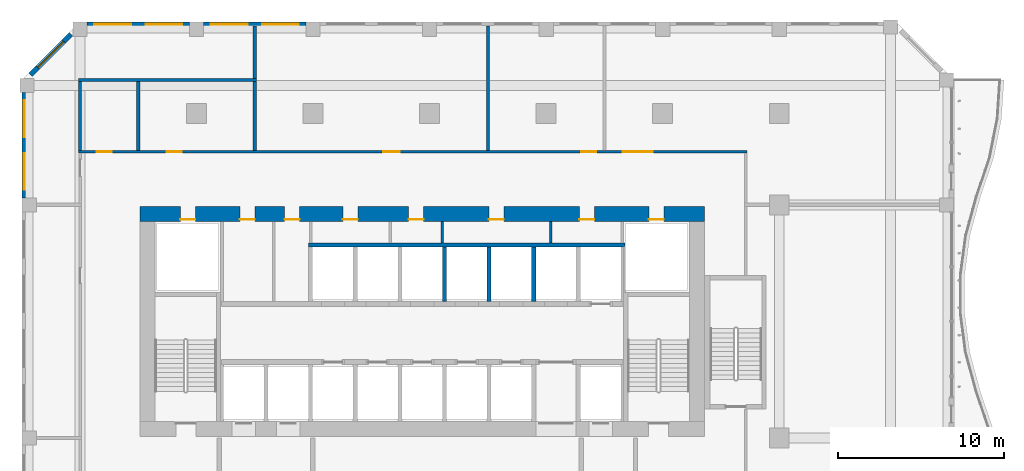
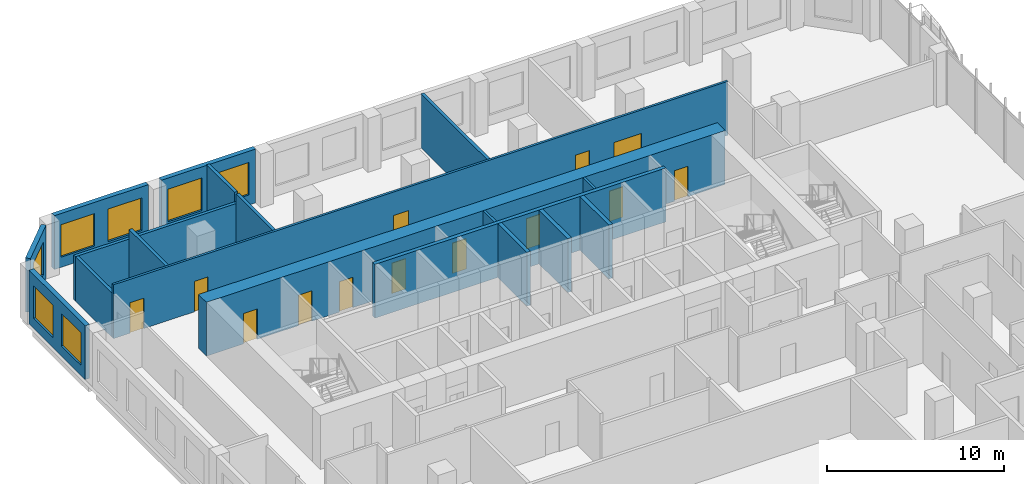
# One storey, part 16 of 27: 18 walls, 13 doors, 7 windows, 20 openings.
"""IFC4 building model written with IfcOpenShell, lengths in metres."""

from ifc_helpers import new_model, si_unit, direction, frame, frame_2d, origin, place, context, subcontext, project, spatial, rectangle, extrude, source, transform, mapped, material, layer, layer_set, type_object, element, fill, save


model = new_model("IFC4")

# Units and contexts
model_context = context("Model", 3, precision=1e-05, world=origin(), true_north=direction((0.0, 1.0)))
body_context = subcontext(model_context, "Body", "Model", "MODEL_VIEW")
ifc_project = project(units=[si_unit("LENGTHUNIT", "METRE"), si_unit("AREAUNIT", "SQUARE_METRE"), si_unit("VOLUMEUNIT", "CUBIC_METRE"), si_unit("PLANEANGLEUNIT", "RADIAN"), si_unit("MASSUNIT", "GRAM", prefix="KILO")], contexts=[model_context])

# Site, building, storey
site_placement = place(None, origin())
site = spatial("IfcSite", under=ifc_project, at=site_placement, CompositionType="ELEMENT")
building_placement = place(site_placement, origin())
building = spatial("IfcBuilding", under=site, at=building_placement, Name="Kilnfold Tower and Market Hall", CompositionType="ELEMENT")
storey_placement = place(building_placement, frame((0.0, 0.0, 112.60009765625)))
storey = spatial("IfcBuildingStorey", under=building, at=storey_placement, Name="L26", CompositionType="ELEMENT", Elevation=112.60009765625)

# Wall, openings, doors
ifc_material_1 = material(Name="Gypsum board on steel studs", Category="steel")
ifc_layer_1 = layer(ifc_material_1, 0.14990234375)
ifc_layer_set_1 = layer_set([ifc_layer_1], Name="Gypsum board on steel studs")
wall_type_1 = type_object("IfcWallType", Name="WALL CORRIDOR 150", PredefinedType="PARTITIONING", material=ifc_layer_set_1)
wall_1_placement = place(storey_placement, frame((-19.60009765625, 25.199951171875, 0.0), z_axis=(0.0, 0.0, 1.0), x_axis=(1.0, 0.0, 0.0)))
wall_1 = element("IfcWall", 1, at=wall_1_placement, inside=storey, type_object=wall_type_1, Name="Partition LY17.35", PredefinedType="PARTITIONING", context=body_context, shape_type="SweptSolid", body=[
    extrude(rectangle(XDim=40.175048828125, YDim=0.14990234375, at=frame_2d((20.08740234375, 0.0))), origin(), (0.0, 0.0, 1.0), 3.719970703125),
])
opening_1_placement = place(wall_1_placement, frame((1.10400390625, 0.0, 0.0)))
opening_1 = element("IfcOpeningElement", 2, at=opening_1_placement, cuts=wall_1, Name="Opening D2", PredefinedType="OPENING", context=body_context, shape_type="SweptSolid", body=[
    extrude(rectangle(XDim=0.89990234375, YDim=2.10009765625, at=frame_2d((0.449951171875, 1.050048828125))), frame((0.0, 0.0849609375, 0.0), z_axis=(0.0, -1.0, 0.0), x_axis=(1.0, 0.0, 0.0)), (0.0, 0.0, 1.0), 0.169921875),
])
opening_2_placement = place(wall_1_placement, frame((5.2958984375, 0.0, 0.0)))
opening_2 = element("IfcOpeningElement", 3, at=opening_2_placement, cuts=wall_1, Name="Opening D3", PredefinedType="OPENING", context=body_context, shape_type="SweptSolid", body=[
    extrude(rectangle(XDim=0.89990234375, YDim=2.10009765625, at=frame_2d((0.449951171875, 1.050048828125))), frame((0.0, 0.0849609375, 0.0), z_axis=(0.0, -1.0, 0.0), x_axis=(1.0, 0.0, 0.0)), (0.0, 0.0, 1.0), 0.169921875),
])
opening_3_placement = place(wall_1_placement, frame((18.302001953125, 0.0, 0.0)))
opening_3 = element("IfcOpeningElement", 4, at=opening_3_placement, cuts=wall_1, Name="Opening D1", PredefinedType="OPENING", context=body_context, shape_type="SweptSolid", body=[
    extrude(rectangle(XDim=1.0, YDim=2.10009765625, at=frame_2d((0.5, 1.050048828125))), frame((0.0, 0.0849609375, 0.0), z_axis=(0.0, -1.0, 0.0), x_axis=(1.0, 0.0, 0.0)), (0.0, 0.0, 1.0), 0.169921875),
])
opening_4_placement = place(wall_1_placement, frame((30.208984375, 0.0, 0.0)))
opening_4 = element("IfcOpeningElement", 5, at=opening_4_placement, cuts=wall_1, Name="Opening D2", PredefinedType="OPENING", context=body_context, shape_type="SweptSolid", body=[
    extrude(rectangle(XDim=0.89990234375, YDim=2.10009765625, at=frame_2d((0.449951171875, 1.050048828125))), frame((0.0, 0.0849609375, 0.0), z_axis=(0.0, -1.0, 0.0), x_axis=(1.0, 0.0, 0.0)), (0.0, 0.0, 1.0), 0.169921875),
])
opening_5_placement = place(wall_1_placement, frame((32.701904296875, 0.0, 0.0)))
opening_5 = element("IfcOpeningElement", 6, at=opening_5_placement, cuts=wall_1, Name="Opening D5", PredefinedType="OPENING", context=body_context, shape_type="SweptSolid", body=[
    extrude(rectangle(XDim=1.800048828125, YDim=2.10009765625, at=frame_2d((0.89990234375, 1.050048828125))), frame((0.0, 0.0849609375, 0.0), z_axis=(0.0, -1.0, 0.0), x_axis=(1.0, 0.0, 0.0)), (0.0, 0.0, 1.0), 0.169921875),
])
ifc_material_2 = material(Name="Timber veneer door leaf in steel frame", Category="steel")
door_type_1 = type_object("IfcDoorType", Name="DOOR DOUBLE 1800 X2100", OperationType="NOTDEFINED", PredefinedType="DOOR", material=ifc_material_2)
door_1_placement = place(opening_5_placement, origin())
door_1 = element("IfcDoor", 7, at=door_1_placement, inside=storey, type_object=door_type_1, Name="Door D5", OperationType="DOUBLE_DOOR_SINGLE_SWING", OverallHeight=2.10009765625, OverallWidth=1.800048828125, PredefinedType="DOOR", context=body_context, shape_type="SweptSolid", body=[
    extrude(rectangle(XDim=1.800048828125, YDim=2.10009765625, at=frame_2d((0.89990234375, 1.050048828125))), frame((0.0, 0.02490234375, 0.0), z_axis=(0.0, -1.0, 0.0), x_axis=(1.0, 0.0, 0.0)), (0.0, 0.0, 1.0), 0.050048828125),
])
fill(opening_5, door_1)
ifc_material_3 = material(Name="Timber veneer door leaf in steel frame", Category="steel")
door_type_2 = type_object("IfcDoorType", Name="DOOR ENTRY 1000 X2100", OperationType="NOTDEFINED", PredefinedType="DOOR", material=ifc_material_3)
door_2_placement = place(opening_3_placement, origin())
door_2 = element("IfcDoor", 8, at=door_2_placement, inside=storey, type_object=door_type_2, Name="Door D1", OperationType="SINGLE_SWING_RIGHT", OverallHeight=2.10009765625, OverallWidth=1.0, PredefinedType="DOOR", context=body_context, shape_type="SweptSolid", body=[
    extrude(rectangle(XDim=1.0, YDim=2.10009765625, at=frame_2d((0.5, 1.050048828125))), frame((0.0, 0.02490234375, 0.0), z_axis=(0.0, -1.0, 0.0), x_axis=(1.0, 0.0, 0.0)), (0.0, 0.0, 1.0), 0.050048828125),
])
fill(opening_3, door_2)
ifc_material_4 = material(Name="Timber veneer door leaf in steel frame", Category="steel")
door_type_3 = type_object("IfcDoorType", Name="DOOR ROOM 900 X2100", OperationType="NOTDEFINED", PredefinedType="DOOR", material=ifc_material_4)
door_3_placement = place(opening_1_placement, origin())
door_3 = element("IfcDoor", 9, at=door_3_placement, inside=storey, type_object=door_type_3, Name="Door D2", OperationType="SINGLE_SWING_LEFT", OverallHeight=2.10009765625, OverallWidth=0.89990234375, PredefinedType="DOOR", context=body_context, shape_type="SweptSolid", body=[
    extrude(rectangle(XDim=0.89990234375, YDim=2.10009765625, at=frame_2d((0.449951171875, 1.050048828125))), frame((0.0, 0.02490234375, 0.0), z_axis=(0.0, -1.0, 0.0), x_axis=(1.0, 0.0, 0.0)), (0.0, 0.0, 1.0), 0.050048828125),
])
fill(opening_1, door_3)
door_4_placement = place(opening_4_placement, origin())
door_4 = element("IfcDoor", 10, at=door_4_placement, inside=storey, type_object=door_type_3, Name="Door D2", OperationType="SINGLE_SWING_RIGHT", OverallHeight=2.10009765625, OverallWidth=0.89990234375, PredefinedType="DOOR", context=body_context, shape_type="SweptSolid", body=[
    extrude(rectangle(XDim=0.89990234375, YDim=2.10009765625, at=frame_2d((0.449951171875, 1.050048828125))), frame((0.0, 0.02490234375, 0.0), z_axis=(0.0, -1.0, 0.0), x_axis=(1.0, 0.0, 0.0)), (0.0, 0.0, 1.0), 0.050048828125),
])
fill(opening_4, door_4)
ifc_material_5 = material(Name="Timber veneer door leaf in steel frame", Category="steel")
door_type_4 = type_object("IfcDoorType", Name="DOOR WC 900 X2100", OperationType="NOTDEFINED", PredefinedType="DOOR", material=ifc_material_5)
door_5_placement = place(opening_2_placement, origin())
door_5 = element("IfcDoor", 11, at=door_5_placement, inside=storey, type_object=door_type_4, Name="Door D3", OperationType="SINGLE_SWING_LEFT", OverallHeight=2.10009765625, OverallWidth=0.89990234375, PredefinedType="DOOR", context=body_context, shape_type="SweptSolid", body=[
    extrude(rectangle(XDim=0.89990234375, YDim=2.10009765625, at=frame_2d((0.449951171875, 1.050048828125))), frame((0.0, 0.02490234375, 0.0), z_axis=(0.0, -1.0, 0.0), x_axis=(1.0, 0.0, 0.0)), (0.0, 0.0, 1.0), 0.050048828125),
])
fill(opening_2, door_5)

# Walls
ifc_material_6 = material(Name="Gypsum board on steel studs", Category="steel")
ifc_layer_2 = layer(ifc_material_6, 0.199951171875)
ifc_layer_set_2 = layer_set([ifc_layer_2], Name="Gypsum board on steel studs")
wall_type_2 = type_object("IfcWallType", Name="WALL PARTY 200", PredefinedType="PARTITIONING", material=ifc_layer_set_2)
wall_2_placement = place(storey_placement, frame((5.0, 25.27587890625, 0.0), z_axis=(0.0, 0.0, 1.0), x_axis=(0.0, 1.0, 0.0)))
element("IfcWall", 12, at=wall_2_placement, inside=storey, type_object=wall_type_2, Name="Partition LY17.69", PredefinedType="PARTITIONING", context=body_context, shape_type="SweptSolid", body=[
    extrude(rectangle(XDim=7.47412109375, YDim=0.199951171875, at=frame_2d((3.737060546875, 0.0))), origin(), (0.0, 0.0, 1.0), 3.719970703125),
])
wall_3_placement = place(storey_placement, frame((-9.0, 25.27587890625, 0.0), z_axis=(0.0, 0.0, 1.0), x_axis=(0.0, 1.0, 0.0)))
element("IfcWall", 13, at=wall_3_placement, inside=storey, type_object=wall_type_2, Name="Partition LY17.70", PredefinedType="PARTITIONING", context=body_context, shape_type="SweptSolid", body=[
    extrude(rectangle(XDim=4.134033203125, YDim=0.199951171875, at=frame_2d((2.06689453125, 0.0))), origin(), (0.0, 0.0, 1.0), 3.719970703125),
])
wall_4_placement = place(storey_placement, frame((-9.0, 29.590087890625, 0.0), z_axis=(0.0, 0.0, 1.0), x_axis=(0.0, 1.0, 0.0)))
element("IfcWall", 14, at=wall_4_placement, inside=storey, type_object=wall_type_2, Name="Partition LY17.71", PredefinedType="PARTITIONING", context=body_context, shape_type="SweptSolid", body=[
    extrude(rectangle(XDim=3.159912109375, YDim=0.199951171875, at=frame_2d((1.580078125, 0.0))), origin(), (0.0, 0.0, 1.0), 3.719970703125),
])
wall_5_placement = place(storey_placement, frame((-16.0, 29.39990234375, 0.0), z_axis=(0.0, 0.0, 1.0), x_axis=(0.0, -1.0, 0.0)))
element("IfcWall", 15, at=wall_5_placement, inside=storey, type_object=wall_type_2, Name="Partition LY17.72", PredefinedType="PARTITIONING", context=body_context, shape_type="SweptSolid", body=[
    extrude(rectangle(XDim=4.1240234375, YDim=0.199951171875, at=frame_2d((2.06201171875, 0.0))), origin(), (0.0, 0.0, 1.0), 3.719970703125),
])
wall_6_placement = place(storey_placement, frame((-19.60009765625, 29.5, 0.0), z_axis=(0.0, 0.0, 1.0), x_axis=(1.0, 0.0, 0.0)))
element("IfcWall", 16, at=wall_6_placement, inside=storey, type_object=wall_type_2, Name="Partition LY17.73", PredefinedType="PARTITIONING", context=body_context, shape_type="SweptSolid", body=[
    extrude(rectangle(XDim=10.7001953125, YDim=0.199951171875, at=frame_2d((5.35009765625, 0.0))), origin(), (0.0, 0.0, 1.0), 3.06982421875),
])
wall_7_placement = place(storey_placement, frame((-19.5, 29.39990234375, 0.0), z_axis=(0.0, 0.0, 1.0), x_axis=(0.0, -1.0, 0.0)))
element("IfcWall", 17, at=wall_7_placement, inside=storey, type_object=wall_type_2, Name="Partition LY17.74", PredefinedType="PARTITIONING", context=body_context, shape_type="SweptSolid", body=[
    extrude(rectangle(XDim=4.1240234375, YDim=0.199951171875, at=frame_2d((2.06201171875, 0.0))), origin(), (0.0, 0.0, 1.0), 3.06982421875),
])

# Wall, openings, doors
ifc_material_7 = material(Name="Concrete C70", Category="concrete")
ifc_layer_3 = layer(ifc_material_7, 0.89990234375)
ifc_layer_set_3 = layer_set([ifc_layer_3], Name="Concrete C70")
wall_type_3 = type_object("IfcWallType", Name="CORE WALL 900 C70", PredefinedType="SHEAR", material=ifc_layer_set_3)
shared_shape_1 = source(origin(), body_context, "Body", "SweptSolid", [
    extrude(rectangle(XDim=33.89990234375, YDim=0.89990234375, at=frame_2d((16.949951171875, 0.0))), origin(), (0.0, 0.0, 1.0), 3.719970703125),
])
wall_8_placement = place(storey_placement, frame((-15.89990234375, 21.449951171875, 0.0), z_axis=(0.0, 0.0, 1.0), x_axis=(1.0, 0.0, 0.0)))
wall_8 = element("IfcWall", 18, at=wall_8_placement, inside=storey, type_object=wall_type_3, Name="Core outer wall north", PredefinedType="SHEAR", context=body_context, shape_type="MappedRepresentation", body=[
    mapped(shared_shape_1, transform((0.0, 0.0, 0.0))),
])
opening_6_placement = place(wall_8_placement, frame((6.0078125, 0.0, 0.0)))
opening_6 = element("IfcOpeningElement", 19, at=opening_6_placement, cuts=wall_8, Name="Opening KD1", PredefinedType="OPENING", context=body_context, shape_type="SweptSolid", body=[
    extrude(rectangle(XDim=0.89990234375, YDim=2.10009765625, at=frame_2d((0.449951171875, 1.050048828125))), frame((0.0, 0.4599609375, 0.0), z_axis=(0.0, -1.0, 0.0), x_axis=(1.0, 0.0, 0.0)), (0.0, 0.0, 1.0), 0.919921875),
])
opening_7_placement = place(wall_8_placement, frame((8.687744140625, 0.0, 0.0)))
opening_7 = element("IfcOpeningElement", 20, at=opening_7_placement, cuts=wall_8, Name="Opening KD1", PredefinedType="OPENING", context=body_context, shape_type="SweptSolid", body=[
    extrude(rectangle(XDim=0.89990234375, YDim=2.10009765625, at=frame_2d((0.449951171875, 1.050048828125))), frame((0.0, 0.4599609375, 0.0), z_axis=(0.0, -1.0, 0.0), x_axis=(1.0, 0.0, 0.0)), (0.0, 0.0, 1.0), 0.919921875),
])
opening_8_placement = place(wall_8_placement, frame((12.185302734375, 0.0, 0.0)))
opening_8 = element("IfcOpeningElement", 21, at=opening_8_placement, cuts=wall_8, Name="Opening KD1", PredefinedType="OPENING", context=body_context, shape_type="SweptSolid", body=[
    extrude(rectangle(XDim=0.89990234375, YDim=2.10009765625, at=frame_2d((0.449951171875, 1.050048828125))), frame((0.0, 0.4599609375, 0.0), z_axis=(0.0, -1.0, 0.0), x_axis=(1.0, 0.0, 0.0)), (0.0, 0.0, 1.0), 0.919921875),
])
opening_9_placement = place(wall_8_placement, frame((16.13818359375, 0.0, 0.0)))
opening_9 = element("IfcOpeningElement", 22, at=opening_9_placement, cuts=wall_8, Name="Opening KD1", PredefinedType="OPENING", context=body_context, shape_type="SweptSolid", body=[
    extrude(rectangle(XDim=0.89990234375, YDim=2.10009765625, at=frame_2d((0.449951171875, 1.050048828125))), frame((0.0, 0.4599609375, 0.0), z_axis=(0.0, -1.0, 0.0), x_axis=(1.0, 0.0, 0.0)), (0.0, 0.0, 1.0), 0.919921875),
])
opening_10_placement = place(wall_8_placement, frame((20.962158203125, 0.0, 0.0)))
opening_10 = element("IfcOpeningElement", 23, at=opening_10_placement, cuts=wall_8, Name="Opening KD1", PredefinedType="OPENING", context=body_context, shape_type="SweptSolid", body=[
    extrude(rectangle(XDim=0.89990234375, YDim=2.10009765625, at=frame_2d((0.449951171875, 1.050048828125))), frame((0.0, 0.4599609375, 0.0), z_axis=(0.0, -1.0, 0.0), x_axis=(1.0, 0.0, 0.0)), (0.0, 0.0, 1.0), 0.919921875),
])
opening_11_placement = place(wall_8_placement, frame((26.38916015625, 0.0, 0.0)))
opening_11 = element("IfcOpeningElement", 24, at=opening_11_placement, cuts=wall_8, Name="Opening KD1", PredefinedType="OPENING", context=body_context, shape_type="SweptSolid", body=[
    extrude(rectangle(XDim=0.89990234375, YDim=2.10009765625, at=frame_2d((0.449951171875, 1.050048828125))), frame((0.0, 0.4599609375, 0.0), z_axis=(0.0, -1.0, 0.0), x_axis=(1.0, 0.0, 0.0)), (0.0, 0.0, 1.0), 0.919921875),
])
opening_12_placement = place(wall_8_placement, frame((2.425048828125, 0.0, 0.0)))
opening_12 = element("IfcOpeningElement", 25, at=opening_12_placement, cuts=wall_8, Name="Opening KD1", PredefinedType="OPENING", context=body_context, shape_type="SweptSolid", body=[
    extrude(rectangle(XDim=0.89990234375, YDim=2.10009765625, at=frame_2d((0.449951171875, 1.050048828125))), frame((0.0, 0.4599609375, 0.0), z_axis=(0.0, -1.0, 0.0), x_axis=(1.0, 0.0, 0.0)), (0.0, 0.0, 1.0), 0.919921875),
])
opening_13_placement = place(wall_8_placement, frame((30.574951171875, 0.0, 0.0)))
opening_13 = element("IfcOpeningElement", 26, at=opening_13_placement, cuts=wall_8, Name="Opening KD1", PredefinedType="OPENING", context=body_context, shape_type="SweptSolid", body=[
    extrude(rectangle(XDim=0.89990234375, YDim=2.10009765625, at=frame_2d((0.449951171875, 1.050048828125))), frame((0.0, 0.4599609375, 0.0), z_axis=(0.0, -1.0, 0.0), x_axis=(1.0, 0.0, 0.0)), (0.0, 0.0, 1.0), 0.919921875),
])
ifc_material_8 = material(Name="Steel door set with fire-resisting leaf", Category="steel")
door_type_5 = type_object("IfcDoorType", Name="SERVICE DOOR 900X2100", OperationType="NOTDEFINED", PredefinedType="DOOR", material=ifc_material_8)
door_6_placement = place(opening_6_placement, origin())
door_6 = element("IfcDoor", 27, at=door_6_placement, inside=storey, type_object=door_type_5, Name="Core service door", OperationType="SINGLE_SWING_RIGHT", OverallHeight=2.10009765625, OverallWidth=0.89990234375, PredefinedType="DOOR", context=body_context, shape_type="SweptSolid", body=[
    extrude(rectangle(XDim=0.89990234375, YDim=2.10009765625, at=frame_2d((0.449951171875, 1.050048828125))), frame((0.0, -0.30517578125, 0.0), z_axis=(0.0, -1.0, 0.0), x_axis=(1.0, 0.0, 0.0)), (0.0, 0.0, 1.0), 0.050048828125),
])
fill(opening_6, door_6)
door_7_placement = place(opening_7_placement, origin())
door_7 = element("IfcDoor", 28, at=door_7_placement, inside=storey, type_object=door_type_5, Name="Core service door", OperationType="SINGLE_SWING_LEFT", OverallHeight=2.10009765625, OverallWidth=0.89990234375, PredefinedType="DOOR", context=body_context, shape_type="SweptSolid", body=[
    extrude(rectangle(XDim=0.89990234375, YDim=2.10009765625, at=frame_2d((0.449951171875, 1.050048828125))), frame((0.0, -0.30517578125, 0.0), z_axis=(0.0, -1.0, 0.0), x_axis=(1.0, 0.0, 0.0)), (0.0, 0.0, 1.0), 0.050048828125),
])
fill(opening_7, door_7)
door_8_placement = place(opening_8_placement, origin())
door_8 = element("IfcDoor", 29, at=door_8_placement, inside=storey, type_object=door_type_5, Name="Core service door", OperationType="SINGLE_SWING_RIGHT", OverallHeight=2.10009765625, OverallWidth=0.89990234375, PredefinedType="DOOR", context=body_context, shape_type="SweptSolid", body=[
    extrude(rectangle(XDim=0.89990234375, YDim=2.10009765625, at=frame_2d((0.449951171875, 1.050048828125))), frame((0.0, -0.30517578125, 0.0), z_axis=(0.0, -1.0, 0.0), x_axis=(1.0, 0.0, 0.0)), (0.0, 0.0, 1.0), 0.050048828125),
])
fill(opening_8, door_8)
door_9_placement = place(opening_9_placement, origin())
door_9 = element("IfcDoor", 30, at=door_9_placement, inside=storey, type_object=door_type_5, Name="Core service door", OperationType="SINGLE_SWING_LEFT", OverallHeight=2.10009765625, OverallWidth=0.89990234375, PredefinedType="DOOR", context=body_context, shape_type="SweptSolid", body=[
    extrude(rectangle(XDim=0.89990234375, YDim=2.10009765625, at=frame_2d((0.449951171875, 1.050048828125))), frame((0.0, -0.30517578125, 0.0), z_axis=(0.0, -1.0, 0.0), x_axis=(1.0, 0.0, 0.0)), (0.0, 0.0, 1.0), 0.050048828125),
])
fill(opening_9, door_9)
door_10_placement = place(opening_10_placement, origin())
door_10 = element("IfcDoor", 31, at=door_10_placement, inside=storey, type_object=door_type_5, Name="Core service door", OperationType="SINGLE_SWING_RIGHT", OverallHeight=2.10009765625, OverallWidth=0.89990234375, PredefinedType="DOOR", context=body_context, shape_type="SweptSolid", body=[
    extrude(rectangle(XDim=0.89990234375, YDim=2.10009765625, at=frame_2d((0.449951171875, 1.050048828125))), frame((0.0, -0.30517578125, 0.0), z_axis=(0.0, -1.0, 0.0), x_axis=(1.0, 0.0, 0.0)), (0.0, 0.0, 1.0), 0.050048828125),
])
fill(opening_10, door_10)
door_11_placement = place(opening_11_placement, origin())
door_11 = element("IfcDoor", 32, at=door_11_placement, inside=storey, type_object=door_type_5, Name="Core service door", OperationType="SINGLE_SWING_LEFT", OverallHeight=2.10009765625, OverallWidth=0.89990234375, PredefinedType="DOOR", context=body_context, shape_type="SweptSolid", body=[
    extrude(rectangle(XDim=0.89990234375, YDim=2.10009765625, at=frame_2d((0.449951171875, 1.050048828125))), frame((0.0, -0.30517578125, 0.0), z_axis=(0.0, -1.0, 0.0), x_axis=(1.0, 0.0, 0.0)), (0.0, 0.0, 1.0), 0.050048828125),
])
fill(opening_11, door_11)
door_12_placement = place(opening_12_placement, origin())
door_12 = element("IfcDoor", 33, at=door_12_placement, inside=storey, type_object=door_type_5, Name="Electrical riser access door", OperationType="SINGLE_SWING_RIGHT", OverallHeight=2.10009765625, OverallWidth=0.89990234375, PredefinedType="DOOR", context=body_context, shape_type="SweptSolid", body=[
    extrude(rectangle(XDim=0.89990234375, YDim=2.10009765625, at=frame_2d((0.449951171875, 1.050048828125))), frame((0.0, -0.30517578125, 0.0), z_axis=(0.0, -1.0, 0.0), x_axis=(1.0, 0.0, 0.0)), (0.0, 0.0, 1.0), 0.050048828125),
])
fill(opening_12, door_12)
door_13_placement = place(opening_13_placement, origin())
door_13 = element("IfcDoor", 34, at=door_13_placement, inside=storey, type_object=door_type_5, Name="Mechanical riser access door", OperationType="SINGLE_SWING_LEFT", OverallHeight=2.10009765625, OverallWidth=0.89990234375, PredefinedType="DOOR", context=body_context, shape_type="SweptSolid", body=[
    extrude(rectangle(XDim=0.89990234375, YDim=2.10009765625, at=frame_2d((0.449951171875, 1.050048828125))), frame((0.0, -0.30517578125, 0.0), z_axis=(0.0, -1.0, 0.0), x_axis=(1.0, 0.0, 0.0)), (0.0, 0.0, 1.0), 0.050048828125),
])
fill(opening_13, door_13)

# Wall, opening, window
ifc_material_9 = material(Name="Precast concrete C50/60", Category="concrete")
ifc_layer_4 = layer(ifc_material_9, 0.300048828125)
ifc_layer_set_4 = layer_set([ifc_layer_4], Name="Precast concrete C50/60")
wall_type_4 = type_object("IfcWallType", Name="PRECAST WALL 300", PredefinedType="SOLIDWALL", material=ifc_layer_set_4)
shared_shape_2 = source(origin(), body_context, "Body", "SweptSolid", [
    extrude(rectangle(XDim=3.429443359375, YDim=0.300048828125, at=frame_2d((1.71484375, 0.0))), origin(), (0.0, 0.0, 1.0), 3.719970703125),
])
wall_9_placement = place(storey_placement, frame((-20.0439453125, 32.243896484375, 0.0), z_axis=(0.0, 0.0, 1.0), x_axis=(-0.707106781187, -0.707106781187, 0.0)))
wall_9 = element("IfcWall", 35, at=wall_9_placement, inside=storey, type_object=wall_type_4, Name="External wall L26 NW", PredefinedType="SOLIDWALL", context=body_context, shape_type="MappedRepresentation", body=[
    mapped(shared_shape_2, transform((0.0, 0.0, 0.0))),
])
opening_14_placement = place(wall_9_placement, frame((0.61474609375, 0.0, 0.699951171875)))
opening_14 = element("IfcOpeningElement", 36, at=opening_14_placement, cuts=wall_9, Name="Opening W1", PredefinedType="OPENING", context=body_context, shape_type="SweptSolid", body=[
    extrude(rectangle(XDim=2.199951171875, YDim=2.25, at=frame_2d((1.10009765625, 1.125))), frame((0.0, 0.16015625, 0.0), z_axis=(0.0, -1.0, 0.0), x_axis=(1.0, 0.0, 0.0)), (0.0, 0.0, 1.0), 0.320068359375),
])
ifc_material_10 = material(Name="Aluminium frame and double glazing", Category="aluminium")
window_type = type_object("IfcWindowType", Name="WINDOW W1 2200X2250", PartitioningType="SINGLE_PANEL", PredefinedType="WINDOW", material=ifc_material_10)
window_1_placement = place(opening_14_placement, origin())
window_1 = element("IfcWindow", 37, at=window_1_placement, inside=storey, type_object=window_type, Name="Window W1 L26 NW-1", OverallHeight=2.25, OverallWidth=2.199951171875, PartitioningType="SINGLE_PANEL", PredefinedType="WINDOW", context=body_context, shape_type="SweptSolid", body=[
    extrude(rectangle(XDim=2.199951171875, YDim=2.25, at=frame_2d((1.10009765625, 1.125))), frame((0.0, 0.030029296875, 0.0), z_axis=(0.0, -1.0, 0.0), x_axis=(1.0, 0.0, 0.0)), (0.0, 0.0, 1.0), 0.06005859375),
])
fill(opening_14, window_1)

# Wall, openings, windows
shared_shape_3 = source(origin(), body_context, "Body", "SweptSolid", [
    extrude(rectangle(XDim=6.14990234375, YDim=0.300048828125, at=frame_2d((3.074951171875, 0.0))), origin(), (0.0, 0.0, 1.0), 3.719970703125),
])
wall_10_placement = place(storey_placement, frame((-5.925048828125, 32.85009765625, 0.0), z_axis=(0.0, 0.0, 1.0), x_axis=(-1.0, 0.0, 0.0)))
wall_10 = element("IfcWall", 38, at=wall_10_placement, inside=storey, type_object=wall_type_4, Name="External wall L26 N", PredefinedType="SOLIDWALL", context=body_context, shape_type="MappedRepresentation", body=[
    mapped(shared_shape_3, transform((0.0, 0.0, 0.0))),
])
opening_15_placement = place(wall_10_placement, frame((0.4375, 0.0, 0.699951171875)))
opening_15 = element("IfcOpeningElement", 39, at=opening_15_placement, cuts=wall_10, Name="Opening W1", PredefinedType="OPENING", context=body_context, shape_type="SweptSolid", body=[
    extrude(rectangle(XDim=2.199951171875, YDim=2.25, at=frame_2d((1.10009765625, 1.125))), frame((0.0, 0.16015625, 0.0), z_axis=(0.0, -1.0, 0.0), x_axis=(1.0, 0.0, 0.0)), (0.0, 0.0, 1.0), 0.320068359375),
])
opening_16_placement = place(wall_10_placement, frame((3.512451171875, 0.0, 0.699951171875)))
opening_16 = element("IfcOpeningElement", 40, at=opening_16_placement, cuts=wall_10, Name="Opening W1", PredefinedType="OPENING", context=body_context, shape_type="SweptSolid", body=[
    extrude(rectangle(XDim=2.199951171875, YDim=2.25, at=frame_2d((1.10009765625, 1.125))), frame((0.0, 0.16015625, 0.0), z_axis=(0.0, -1.0, 0.0), x_axis=(1.0, 0.0, 0.0)), (0.0, 0.0, 1.0), 0.320068359375),
])
window_2_placement = place(opening_15_placement, origin())
window_2 = element("IfcWindow", 41, at=window_2_placement, inside=storey, type_object=window_type, Name="Window W1 L26 N-1", OverallHeight=2.25, OverallWidth=2.199951171875, PartitioningType="SINGLE_PANEL", PredefinedType="WINDOW", context=body_context, shape_type="SweptSolid", body=[
    extrude(rectangle(XDim=2.199951171875, YDim=2.25, at=frame_2d((1.10009765625, 1.125))), frame((0.0, 0.030029296875, 0.0), z_axis=(0.0, -1.0, 0.0), x_axis=(1.0, 0.0, 0.0)), (0.0, 0.0, 1.0), 0.06005859375),
])
fill(opening_15, window_2)
window_3_placement = place(opening_16_placement, origin())
window_3 = element("IfcWindow", 42, at=window_3_placement, inside=storey, type_object=window_type, Name="Window W1 L26 N-2", OverallHeight=2.25, OverallWidth=2.199951171875, PartitioningType="SINGLE_PANEL", PredefinedType="WINDOW", context=body_context, shape_type="SweptSolid", body=[
    extrude(rectangle(XDim=2.199951171875, YDim=2.25, at=frame_2d((1.10009765625, 1.125))), frame((0.0, 0.030029296875, 0.0), z_axis=(0.0, -1.0, 0.0), x_axis=(1.0, 0.0, 0.0)), (0.0, 0.0, 1.0), 0.06005859375),
])
fill(opening_16, window_3)

wall_11_placement = place(storey_placement, frame((-12.925048828125, 32.85009765625, 0.0), z_axis=(0.0, 0.0, 1.0), x_axis=(-1.0, 0.0, 0.0)))
wall_11 = element("IfcWall", 43, at=wall_11_placement, inside=storey, type_object=wall_type_4, Name="External wall L26 N", PredefinedType="SOLIDWALL", context=body_context, shape_type="MappedRepresentation", body=[
    mapped(shared_shape_3, transform((0.0, 0.0, 0.0))),
])
opening_17_placement = place(wall_11_placement, frame((0.4375, 0.0, 0.699951171875)))
opening_17 = element("IfcOpeningElement", 44, at=opening_17_placement, cuts=wall_11, Name="Opening W1", PredefinedType="OPENING", context=body_context, shape_type="SweptSolid", body=[
    extrude(rectangle(XDim=2.199951171875, YDim=2.25, at=frame_2d((1.10009765625, 1.125))), frame((0.0, 0.16015625, 0.0), z_axis=(0.0, -1.0, 0.0), x_axis=(1.0, 0.0, 0.0)), (0.0, 0.0, 1.0), 0.320068359375),
])
opening_18_placement = place(wall_11_placement, frame((3.512451171875, 0.0, 0.699951171875)))
opening_18 = element("IfcOpeningElement", 45, at=opening_18_placement, cuts=wall_11, Name="Opening W1", PredefinedType="OPENING", context=body_context, shape_type="SweptSolid", body=[
    extrude(rectangle(XDim=2.199951171875, YDim=2.25, at=frame_2d((1.10009765625, 1.125))), frame((0.0, 0.16015625, 0.0), z_axis=(0.0, -1.0, 0.0), x_axis=(1.0, 0.0, 0.0)), (0.0, 0.0, 1.0), 0.320068359375),
])
window_4_placement = place(opening_17_placement, origin())
window_4 = element("IfcWindow", 46, at=window_4_placement, inside=storey, type_object=window_type, Name="Window W1 L26 N-1", OverallHeight=2.25, OverallWidth=2.199951171875, PartitioningType="SINGLE_PANEL", PredefinedType="WINDOW", context=body_context, shape_type="SweptSolid", body=[
    extrude(rectangle(XDim=2.199951171875, YDim=2.25, at=frame_2d((1.10009765625, 1.125))), frame((0.0, 0.030029296875, 0.0), z_axis=(0.0, -1.0, 0.0), x_axis=(1.0, 0.0, 0.0)), (0.0, 0.0, 1.0), 0.06005859375),
])
fill(opening_17, window_4)
window_5_placement = place(opening_18_placement, origin())
window_5 = element("IfcWindow", 47, at=window_5_placement, inside=storey, type_object=window_type, Name="Window W1 L26 N-2", OverallHeight=2.25, OverallWidth=2.199951171875, PartitioningType="SINGLE_PANEL", PredefinedType="WINDOW", context=body_context, shape_type="SweptSolid", body=[
    extrude(rectangle(XDim=2.199951171875, YDim=2.25, at=frame_2d((1.10009765625, 1.125))), frame((0.0, 0.030029296875, 0.0), z_axis=(0.0, -1.0, 0.0), x_axis=(1.0, 0.0, 0.0)), (0.0, 0.0, 1.0), 0.06005859375),
])
fill(opening_18, window_5)

shared_shape_4 = source(origin(), body_context, "Body", "SweptSolid", [
    extrude(rectangle(XDim=6.331787109375, YDim=0.300048828125, at=frame_2d((3.166015625, 0.0))), origin(), (0.0, 0.0, 1.0), 3.719970703125),
])
wall_12_placement = place(storey_placement, frame((-22.85009765625, 28.7568359375, 0.0), z_axis=(0.0, 0.0, 1.0), x_axis=(0.0, -1.0, 0.0)))
wall_12 = element("IfcWall", 48, at=wall_12_placement, inside=storey, type_object=wall_type_4, Name="External wall L26 W", PredefinedType="SOLIDWALL", context=body_context, shape_type="MappedRepresentation", body=[
    mapped(shared_shape_4, transform((0.0, 0.0, 0.0))),
])
opening_19_placement = place(wall_12_placement, frame((0.48291015625, 0.0, 0.699951171875)))
opening_19 = element("IfcOpeningElement", 49, at=opening_19_placement, cuts=wall_12, Name="Opening W1", PredefinedType="OPENING", context=body_context, shape_type="SweptSolid", body=[
    extrude(rectangle(XDim=2.199951171875, YDim=2.25, at=frame_2d((1.10009765625, 1.125))), frame((0.0, 0.16015625, 0.0), z_axis=(0.0, -1.0, 0.0), x_axis=(1.0, 0.0, 0.0)), (0.0, 0.0, 1.0), 0.320068359375),
])
opening_20_placement = place(wall_12_placement, frame((3.648681640625, 0.0, 0.699951171875)))
opening_20 = element("IfcOpeningElement", 50, at=opening_20_placement, cuts=wall_12, Name="Opening W1", PredefinedType="OPENING", context=body_context, shape_type="SweptSolid", body=[
    extrude(rectangle(XDim=2.199951171875, YDim=2.25, at=frame_2d((1.10009765625, 1.125))), frame((0.0, 0.16015625, 0.0), z_axis=(0.0, -1.0, 0.0), x_axis=(1.0, 0.0, 0.0)), (0.0, 0.0, 1.0), 0.320068359375),
])
window_6_placement = place(opening_19_placement, origin())
window_6 = element("IfcWindow", 51, at=window_6_placement, inside=storey, type_object=window_type, Name="Window W1 L26 W-1", OverallHeight=2.25, OverallWidth=2.199951171875, PartitioningType="SINGLE_PANEL", PredefinedType="WINDOW", context=body_context, shape_type="SweptSolid", body=[
    extrude(rectangle(XDim=2.199951171875, YDim=2.25, at=frame_2d((1.10009765625, 1.125))), frame((0.0, 0.030029296875, 0.0), z_axis=(0.0, -1.0, 0.0), x_axis=(1.0, 0.0, 0.0)), (0.0, 0.0, 1.0), 0.06005859375),
])
fill(opening_19, window_6)
window_7_placement = place(opening_20_placement, origin())
window_7 = element("IfcWindow", 52, at=window_7_placement, inside=storey, type_object=window_type, Name="Window W1 L26 W-2", OverallHeight=2.25, OverallWidth=2.199951171875, PartitioningType="SINGLE_PANEL", PredefinedType="WINDOW", context=body_context, shape_type="SweptSolid", body=[
    extrude(rectangle(XDim=2.199951171875, YDim=2.25, at=frame_2d((1.10009765625, 1.125))), frame((0.0, 0.030029296875, 0.0), z_axis=(0.0, -1.0, 0.0), x_axis=(1.0, 0.0, 0.0)), (0.0, 0.0, 1.0), 0.06005859375),
])
fill(opening_20, window_7)

# Walls
ifc_material_11 = material(Name="Gypsum shaft wall system")
ifc_layer_5 = layer(ifc_material_11, 0.25)
ifc_layer_set_5 = layer_set([ifc_layer_5], Name="Gypsum shaft wall system")
wall_type_5 = type_object("IfcWallType", Name="SHAFT WALL 250", PredefinedType="PARTITIONING", material=ifc_layer_set_5)
shared_shape_5 = source(origin(), body_context, "Body", "SweptSolid", [
    extrude(rectangle(XDim=3.275146484375, YDim=0.25, at=frame_2d((1.6376953125, 0.0))), origin(), (0.0, 0.0, 1.0), 3.719970703125),
])
for number, where, z_axis, x_axis, name in (
    (53, (2.389892578125, 16.199951171875, 0.0), (0.0, 0.0, 1.0), (0.0, 1.0, 0.0), "Lift shaft wall"),
    (54, (5.070068359375, 16.199951171875, 0.0), (0.0, 0.0, 1.0), (0.0, 1.0, 0.0), "Lift shaft wall"),
    (55, (7.75, 16.199951171875, 0.0), (0.0, 0.0, 1.0), (0.0, 1.0, 0.0), "Lift shaft wall"),
):
    element("IfcWall", number, at=place(storey_placement, frame(where, z_axis=z_axis, x_axis=x_axis)), inside=storey, type_object=wall_type_5, Name=name, PredefinedType="PARTITIONING", context=body_context, shape_type="MappedRepresentation", body=[
        mapped(shared_shape_5, transform((0.0, 0.0, 0.0))),
    ])
ifc_material_12 = material(Name="Gypsum shaft wall system")
ifc_layer_6 = layer(ifc_material_12, 0.14990234375)
ifc_layer_set_6 = layer_set([ifc_layer_6], Name="Gypsum shaft wall system")
wall_type_6 = type_object("IfcWallType", Name="ROOM WALL 150", PredefinedType="PARTITIONING", material=ifc_layer_set_6)
shared_shape_6 = source(origin(), body_context, "Body", "SweptSolid", [
    extrude(rectangle(XDim=1.27490234375, YDim=0.14990234375, at=frame_2d((0.637451171875, 0.0))), origin(), (0.0, 0.0, 1.0), 3.719970703125),
])
for number, where, z_axis, x_axis, name in (
    (56, (2.256103515625, 19.72509765625, 0.0), (0.0, 0.0, 1.0), (0.0, 1.0, 0.0), "Core room wall"),
    (57, (8.768310546875, 19.72509765625, 0.0), (0.0, 0.0, 1.0), (0.0, 1.0, 0.0), "Core room wall"),
):
    element("IfcWall", number, at=place(storey_placement, frame(where, z_axis=z_axis, x_axis=x_axis)), inside=storey, type_object=wall_type_6, Name=name, PredefinedType="PARTITIONING", context=body_context, shape_type="MappedRepresentation", body=[
        mapped(shared_shape_6, transform((0.0, 0.0, 0.0))),
    ])
shared_shape_7 = source(origin(), body_context, "Body", "SweptSolid", [
    extrude(rectangle(XDim=19.010009765625, YDim=0.25, at=frame_2d((9.5048828125, 0.0))), origin(), (0.0, 0.0, 1.0), 3.719970703125),
])
wall_13_placement = place(storey_placement, frame((-5.77490234375, 19.60009765625, 0.0), z_axis=(0.0, 0.0, 1.0), x_axis=(1.0, 0.0, 0.0)))
element("IfcWall", 58, at=wall_13_placement, inside=storey, type_object=wall_type_5, Name="Lift shaft wall", PredefinedType="PARTITIONING", context=body_context, shape_type="MappedRepresentation", body=[
    mapped(shared_shape_7, transform((0.0, 0.0, 0.0))),
])

save(model, "model.ifc")
